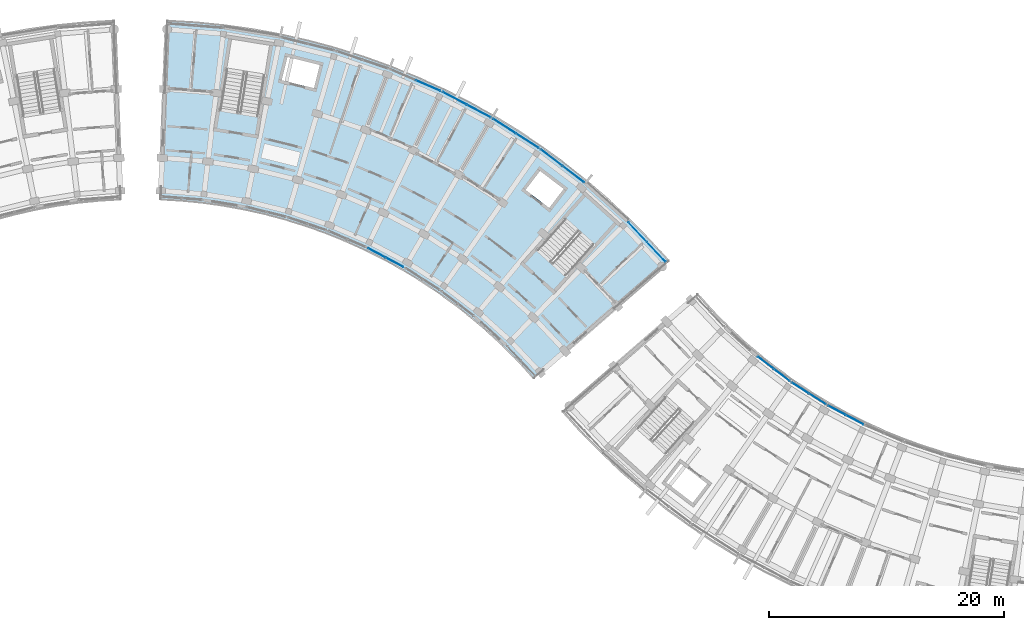
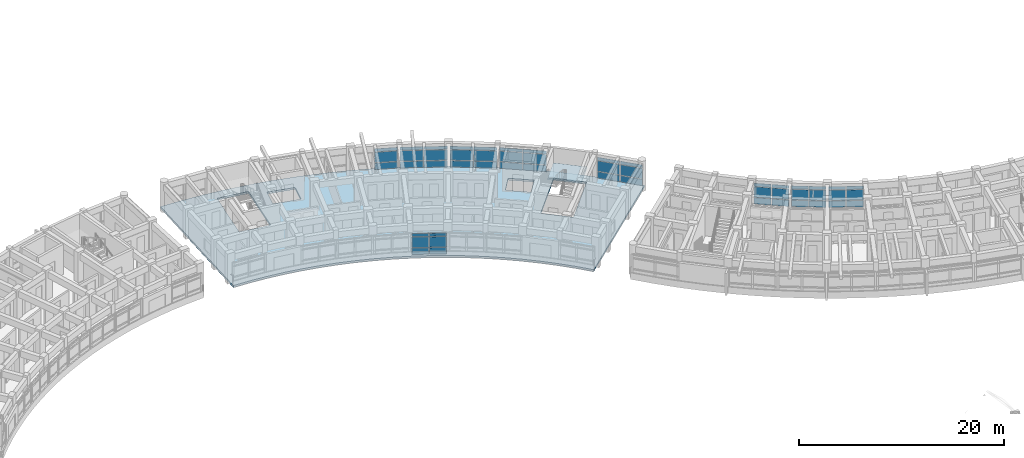
# One storey, part 48 of 83: 51 plates, 2 slabs, 10 elements without a shape of their own.
"""IFC4 building model written with IfcOpenShell, lengths in metres."""

from ifc_helpers import new_model, si_unit, direction, frame, origin, origin_2d, place, context, subcontext, project, spatial, polyline, rectangle, outline, extrude, material, layer, layer_set, type_object, element, aggregate, save


model = new_model("IFC4")

# Units and contexts
model_context = context("Model", 3, precision=1e-05, world=origin(), true_north=direction((0.0, 1.0)))
body_context = subcontext(model_context, "Body", "Model", "MODEL_VIEW")
ifc_project = project(units=[si_unit("LENGTHUNIT", "METRE"), si_unit("AREAUNIT", "SQUARE_METRE"), si_unit("VOLUMEUNIT", "CUBIC_METRE"), si_unit("PLANEANGLEUNIT", "RADIAN"), si_unit("MASSUNIT", "GRAM", prefix="KILO")], contexts=[model_context])

# Site, building, storey
site_placement = place(None, origin())
site = spatial("IfcSite", under=ifc_project, at=site_placement, CompositionType="ELEMENT")
building_placement = place(site_placement, origin())
building = spatial("IfcBuilding", under=site, at=building_placement, Name="Zimvara Arc Housing Community", CompositionType="ELEMENT")
storey_placement = place(building_placement, frame((0.0, 0.0, 4.5)))
storey = spatial("IfcBuildingStorey", under=building, at=storey_placement, Name="L01", CompositionType="ELEMENT", Elevation=4.5)

# Curtain wall, plates
ifc_material_1 = material(Name="Anodised Aluminium AW-6063", Category="aluminium")
curtain_wall_type_1 = type_object("IfcCurtainWallType", Name="CW-SYS-08", PredefinedType="USERDEFINED", material=ifc_material_1)
curtain_wall_1_placement = place(storey_placement, origin())
curtain_wall_1 = element("IfcCurtainWall", 1, at=curtain_wall_1_placement, inside=storey, type_object=curtain_wall_type_1, Name="cw:blkC:L01:in:b2", ObjectType="CURTAIN WALL", PredefinedType="USERDEFINED")
ifc_material_2 = material(Name="Pale-Gold Anodised Aluminium Spandrel Panel", Category="aluminium")
ifc_layer_1 = layer(ifc_material_2, 0.035888671875)
ifc_layer_set_1 = layer_set([ifc_layer_1], Name="Pale-Gold Anodised Aluminium Spandrel Panel")
plate_type_1 = type_object("IfcPlateType", Name="CWP-GLD-36", PredefinedType="CURTAIN_PANEL", material=ifc_layer_set_1)
plate_1_placement = place(storey_placement, frame((98.275634765625, 74.91943359375, 0.06494140625), z_axis=(0.0, 0.0, 1.0), x_axis=(0.795473543119, -0.605988318533, 0.0)))
plate_1 = element("IfcPlate", 2, at=plate_1_placement, type_object=plate_type_1, Name="CW08 panel 1.1", PredefinedType="CURTAIN_PANEL", context=body_context, shape_type="SweptSolid", body=[
    extrude(rectangle(XDim=1.664306640625, YDim=0.035888671875, at=origin_2d()), origin(), (0.0, 0.0, 1.0), 0.75244140625),
])
plate_2_placement = place(storey_placement, frame((98.275634765625, 74.91943359375, 0.88232421875), z_axis=(0.0, 0.0, 1.0), x_axis=(0.795473543119, -0.605988318533, 0.0)))
plate_2 = element("IfcPlate", 3, at=plate_2_placement, type_object=plate_type_1, Name="CW08 panel 1.2", PredefinedType="CURTAIN_PANEL", context=body_context, shape_type="SweptSolid", body=[
    extrude(rectangle(XDim=1.664306640625, YDim=0.035888671875, at=origin_2d()), origin(), (0.0, 0.0, 1.0), 1.235107421875),
])
plate_3_placement = place(storey_placement, frame((98.275634765625, 74.91943359375, 2.182373046875), z_axis=(0.0, 0.0, 1.0), x_axis=(0.795473543119, -0.605988318533, 0.0)))
plate_3 = element("IfcPlate", 4, at=plate_3_placement, type_object=plate_type_1, Name="CW08 panel 1.3", PredefinedType="CURTAIN_PANEL", context=body_context, shape_type="SweptSolid", body=[
    extrude(rectangle(XDim=1.664306640625, YDim=0.035888671875, at=origin_2d()), origin(), (0.0, 0.0, 1.0), 0.3525390625),
])
plate_4_placement = place(storey_placement, frame((99.651123046875, 73.87158203125, 0.06494140625), z_axis=(0.0, 0.0, 1.0), x_axis=(0.795473543119, -0.605988318533, 0.0)))
plate_4 = element("IfcPlate", 5, at=plate_4_placement, type_object=plate_type_1, Name="CW08 panel 2.1", PredefinedType="CURTAIN_PANEL", context=body_context, shape_type="SweptSolid", body=[
    extrude(rectangle(XDim=1.664306640625, YDim=0.035888671875, at=origin_2d()), origin(), (0.0, 0.0, 1.0), 0.75244140625),
])
plate_5_placement = place(storey_placement, frame((99.651123046875, 73.87158203125, 0.88232421875), z_axis=(0.0, 0.0, 1.0), x_axis=(0.795473543119, -0.605988318533, 0.0)))
plate_5 = element("IfcPlate", 6, at=plate_5_placement, type_object=plate_type_1, Name="CW08 panel 2.2", PredefinedType="CURTAIN_PANEL", context=body_context, shape_type="SweptSolid", body=[
    extrude(rectangle(XDim=1.664306640625, YDim=0.035888671875, at=origin_2d()), origin(), (0.0, 0.0, 1.0), 1.235107421875),
])
plate_6_placement = place(storey_placement, frame((99.651123046875, 73.87158203125, 2.182373046875), z_axis=(0.0, 0.0, 1.0), x_axis=(0.795473543119, -0.605988318533, 0.0)))
plate_6 = element("IfcPlate", 7, at=plate_6_placement, type_object=plate_type_1, Name="CW08 panel 2.3", PredefinedType="CURTAIN_PANEL", context=body_context, shape_type="SweptSolid", body=[
    extrude(rectangle(XDim=1.664306640625, YDim=0.035888671875, at=origin_2d()), origin(), (0.0, 0.0, 1.0), 0.3525390625),
])
aggregate(curtain_wall_1, [plate_1, plate_2, plate_3, plate_4, plate_5, plate_6])

ifc_material_3 = material(Name="Anodised Aluminium AW-6063", Category="aluminium")
curtain_wall_type_2 = type_object("IfcCurtainWallType", Name="CW-SYS-04", PredefinedType="USERDEFINED", material=ifc_material_3)
curtain_wall_2_placement = place(storey_placement, origin())
curtain_wall_2 = element("IfcCurtainWall", 8, at=curtain_wall_2_placement, inside=storey, type_object=curtain_wall_type_2, Name="cw:blkC:L01:in:b4", ObjectType="CURTAIN WALL", PredefinedType="USERDEFINED")
plate_7_placement = place(storey_placement, frame((104.326904296875, 70.87890625, 0.06494140625), z_axis=(0.0, 0.0, 1.0), x_axis=(0.88343981815, -0.468544648573, 0.0)))
plate_7 = element("IfcPlate", 9, at=plate_7_placement, type_object=plate_type_1, Name="CW04 panel 1.1", PredefinedType="CURTAIN_PANEL", context=body_context, shape_type="SweptSolid", body=[
    extrude(rectangle(XDim=1.664306640625, YDim=0.035888671875, at=origin_2d()), origin(), (0.0, 0.0, 1.0), 0.75244140625),
])
plate_8_placement = place(storey_placement, frame((104.326904296875, 70.87890625, 0.88232421875), z_axis=(0.0, 0.0, 1.0), x_axis=(0.88343981815, -0.468544648573, 0.0)))
plate_8 = element("IfcPlate", 10, at=plate_8_placement, type_object=plate_type_1, Name="CW04 panel 1.2", PredefinedType="CURTAIN_PANEL", context=body_context, shape_type="SweptSolid", body=[
    extrude(rectangle(XDim=1.664306640625, YDim=0.035888671875, at=origin_2d()), origin(), (0.0, 0.0, 1.0), 1.235107421875),
])
plate_9_placement = place(storey_placement, frame((104.326904296875, 70.87890625, 2.182373046875), z_axis=(0.0, 0.0, 1.0), x_axis=(0.88343981815, -0.468544648573, 0.0)))
plate_9 = element("IfcPlate", 11, at=plate_9_placement, type_object=plate_type_1, Name="CW04 panel 1.3", PredefinedType="CURTAIN_PANEL", context=body_context, shape_type="SweptSolid", body=[
    extrude(rectangle(XDim=1.664306640625, YDim=0.035888671875, at=origin_2d()), origin(), (0.0, 0.0, 1.0), 0.3525390625),
])
plate_10_placement = place(storey_placement, frame((105.854736328125, 70.068603515625, 0.06494140625), z_axis=(0.0, 0.0, 1.0), x_axis=(0.88343981815, -0.468544648573, 0.0)))
plate_10 = element("IfcPlate", 12, at=plate_10_placement, type_object=plate_type_1, Name="CW04 panel 2.1", PredefinedType="CURTAIN_PANEL", context=body_context, shape_type="SweptSolid", body=[
    extrude(rectangle(XDim=1.664306640625, YDim=0.035888671875, at=origin_2d()), origin(), (0.0, 0.0, 1.0), 0.75244140625),
])
plate_11_placement = place(storey_placement, frame((105.854736328125, 70.068603515625, 0.88232421875), z_axis=(0.0, 0.0, 1.0), x_axis=(0.88343981815, -0.468544648573, 0.0)))
plate_11 = element("IfcPlate", 13, at=plate_11_placement, type_object=plate_type_1, Name="CW04 panel 2.2", PredefinedType="CURTAIN_PANEL", context=body_context, shape_type="SweptSolid", body=[
    extrude(rectangle(XDim=1.664306640625, YDim=0.035888671875, at=origin_2d()), origin(), (0.0, 0.0, 1.0), 1.235107421875),
])
plate_12_placement = place(storey_placement, frame((105.854736328125, 70.068603515625, 2.182373046875), z_axis=(0.0, 0.0, 1.0), x_axis=(0.88343981815, -0.468544648573, 0.0)))
plate_12 = element("IfcPlate", 14, at=plate_12_placement, type_object=plate_type_1, Name="CW04 panel 2.3", PredefinedType="CURTAIN_PANEL", context=body_context, shape_type="SweptSolid", body=[
    extrude(rectangle(XDim=1.664306640625, YDim=0.035888671875, at=origin_2d()), origin(), (0.0, 0.0, 1.0), 0.3525390625),
])
aggregate(curtain_wall_2, [plate_7, plate_8, plate_9, plate_10, plate_11, plate_12])

ifc_material_4 = material(Name="Anodised Aluminium AW-6063", Category="aluminium")
curtain_wall_type_3 = type_object("IfcCurtainWallType", Name="CW-SYS-01", PredefinedType="USERDEFINED", material=ifc_material_4)
curtain_wall_3_placement = place(storey_placement, origin())
curtain_wall_3 = element("IfcCurtainWall", 15, at=curtain_wall_3_placement, inside=storey, type_object=curtain_wall_type_3, Name="cw:blkB:L01:out:b5", ObjectType="CURTAIN WALL", PredefinedType="USERDEFINED")
ifc_material_5 = material(Name="Solar Control Low-E Double Glazing", Category="glass")
ifc_layer_2 = layer(ifc_material_5, 0.02392578125)
ifc_layer_set_2 = layer_set([ifc_layer_2], Name="Solar Control Low-E Double Glazing")
plate_type_2 = type_object("IfcPlateType", Name="CWP-GLZ-24", PredefinedType="CURTAIN_PANEL", material=ifc_layer_set_2)
plate_13_placement = place(storey_placement, frame((71.76904296875, 97.461181640625, 0.06494140625), z_axis=(0.0, 0.0, 1.0), x_axis=(0.883438614651, -0.468546917761, 0.0)))
plate_13 = element("IfcPlate", 16, at=plate_13_placement, type_object=plate_type_2, Name="CW01 panel 1.1", PredefinedType="CURTAIN_PANEL", context=body_context, shape_type="SweptSolid", body=[
    extrude(rectangle(XDim=2.266845703125, YDim=0.02392578125, at=origin_2d()), origin(), (0.0, 0.0, 1.0), 0.75244140625),
])
plate_14_placement = place(storey_placement, frame((71.76904296875, 97.461181640625, 0.88232421875), z_axis=(0.0, 0.0, 1.0), x_axis=(0.883438614651, -0.468546917761, 0.0)))
plate_14 = element("IfcPlate", 17, at=plate_14_placement, type_object=plate_type_2, Name="CW01 panel 1.2", PredefinedType="CURTAIN_PANEL", context=body_context, shape_type="SweptSolid", body=[
    extrude(rectangle(XDim=2.266845703125, YDim=0.02392578125, at=origin_2d()), origin(), (0.0, 0.0, 1.0), 1.235107421875),
])
plate_15_placement = place(storey_placement, frame((71.76904296875, 97.461181640625, 2.182373046875), z_axis=(0.0, 0.0, 1.0), x_axis=(0.883438614651, -0.468546917761, 0.0)))
plate_15 = element("IfcPlate", 18, at=plate_15_placement, type_object=plate_type_2, Name="CW01 panel 1.3", PredefinedType="CURTAIN_PANEL", context=body_context, shape_type="SweptSolid", body=[
    extrude(rectangle(XDim=2.266845703125, YDim=0.02392578125, at=origin_2d()), origin(), (0.0, 0.0, 1.0), 0.3525390625),
])
plate_16_placement = place(storey_placement, frame((73.8291015625, 96.36865234375, 0.06494140625), z_axis=(0.0, 0.0, 1.0), x_axis=(0.883438614651, -0.468546917761, 0.0)))
plate_16 = element("IfcPlate", 19, at=plate_16_placement, type_object=plate_type_2, Name="CW01 panel 2.1", PredefinedType="CURTAIN_PANEL", context=body_context, shape_type="SweptSolid", body=[
    extrude(rectangle(XDim=2.266845703125, YDim=0.02392578125, at=origin_2d()), origin(), (0.0, 0.0, 1.0), 0.75244140625),
])
plate_17_placement = place(storey_placement, frame((73.8291015625, 96.36865234375, 0.88232421875), z_axis=(0.0, 0.0, 1.0), x_axis=(0.883438614651, -0.468546917761, 0.0)))
plate_17 = element("IfcPlate", 20, at=plate_17_placement, type_object=plate_type_2, Name="CW01 panel 2.2", PredefinedType="CURTAIN_PANEL", context=body_context, shape_type="SweptSolid", body=[
    extrude(rectangle(XDim=2.266845703125, YDim=0.02392578125, at=origin_2d()), origin(), (0.0, 0.0, 1.0), 1.235107421875),
])
plate_18_placement = place(storey_placement, frame((73.8291015625, 96.36865234375, 2.182373046875), z_axis=(0.0, 0.0, 1.0), x_axis=(0.883438614651, -0.468546917761, 0.0)))
plate_18 = element("IfcPlate", 21, at=plate_18_placement, type_object=plate_type_2, Name="CW01 panel 2.3", PredefinedType="CURTAIN_PANEL", context=body_context, shape_type="SweptSolid", body=[
    extrude(rectangle(XDim=2.266845703125, YDim=0.02392578125, at=origin_2d()), origin(), (0.0, 0.0, 1.0), 0.3525390625),
])
aggregate(curtain_wall_3, [plate_13, plate_14, plate_15, plate_16, plate_17, plate_18])

ifc_material_6 = material(Name="Anodised Aluminium AW-6063", Category="aluminium")
curtain_wall_type_4 = type_object("IfcCurtainWallType", Name="CW-SYS-05", PredefinedType="USERDEFINED", material=ifc_material_6)
curtain_wall_4_placement = place(storey_placement, origin())
curtain_wall_4 = element("IfcCurtainWall", 22, at=curtain_wall_4_placement, inside=storey, type_object=curtain_wall_type_4, Name="cw:blkB:L01:out:b7", ObjectType="CURTAIN WALL", PredefinedType="USERDEFINED")
plate_19_placement = place(storey_placement, frame((80.026123046875, 92.40234375, 0.06494140625), z_axis=(0.0, 0.0, 1.0), x_axis=(0.795473999177, -0.60598771987, 0.0)))
plate_19 = element("IfcPlate", 23, at=plate_19_placement, type_object=plate_type_2, Name="CW05 panel 1.1", PredefinedType="CURTAIN_PANEL", context=body_context, shape_type="SweptSolid", body=[
    extrude(rectangle(XDim=2.266845703125, YDim=0.02392578125, at=origin_2d()), origin(), (0.0, 0.0, 1.0), 0.75244140625),
])
plate_20_placement = place(storey_placement, frame((80.026123046875, 92.40234375, 0.88232421875), z_axis=(0.0, 0.0, 1.0), x_axis=(0.795473999177, -0.60598771987, 0.0)))
plate_20 = element("IfcPlate", 24, at=plate_20_placement, type_object=plate_type_2, Name="CW05 panel 1.2", PredefinedType="CURTAIN_PANEL", context=body_context, shape_type="SweptSolid", body=[
    extrude(rectangle(XDim=2.266845703125, YDim=0.02392578125, at=origin_2d()), origin(), (0.0, 0.0, 1.0), 1.235107421875),
])
plate_21_placement = place(storey_placement, frame((80.026123046875, 92.40234375, 2.182373046875), z_axis=(0.0, 0.0, 1.0), x_axis=(0.795473999177, -0.60598771987, 0.0)))
plate_21 = element("IfcPlate", 25, at=plate_21_placement, type_object=plate_type_2, Name="CW05 panel 1.3", PredefinedType="CURTAIN_PANEL", context=body_context, shape_type="SweptSolid", body=[
    extrude(rectangle(XDim=2.266845703125, YDim=0.02392578125, at=origin_2d()), origin(), (0.0, 0.0, 1.0), 0.3525390625),
])
plate_22_placement = place(storey_placement, frame((81.881103515625, 90.9892578125, 0.06494140625), z_axis=(0.0, 0.0, 1.0), x_axis=(0.795473999177, -0.60598771987, 0.0)))
plate_22 = element("IfcPlate", 26, at=plate_22_placement, type_object=plate_type_2, Name="CW05 panel 2.1", PredefinedType="CURTAIN_PANEL", context=body_context, shape_type="SweptSolid", body=[
    extrude(rectangle(XDim=2.266845703125, YDim=0.02392578125, at=origin_2d()), origin(), (0.0, 0.0, 1.0), 0.75244140625),
])
plate_23_placement = place(storey_placement, frame((81.881103515625, 90.9892578125, 0.88232421875), z_axis=(0.0, 0.0, 1.0), x_axis=(0.795473999177, -0.60598771987, 0.0)))
plate_23 = element("IfcPlate", 27, at=plate_23_placement, type_object=plate_type_2, Name="CW05 panel 2.2", PredefinedType="CURTAIN_PANEL", context=body_context, shape_type="SweptSolid", body=[
    extrude(rectangle(XDim=2.266845703125, YDim=0.02392578125, at=origin_2d()), origin(), (0.0, 0.0, 1.0), 1.235107421875),
])
plate_24_placement = place(storey_placement, frame((81.881103515625, 90.9892578125, 2.182373046875), z_axis=(0.0, 0.0, 1.0), x_axis=(0.795473999177, -0.60598771987, 0.0)))
plate_24 = element("IfcPlate", 28, at=plate_24_placement, type_object=plate_type_2, Name="CW05 panel 2.3", PredefinedType="CURTAIN_PANEL", context=body_context, shape_type="SweptSolid", body=[
    extrude(rectangle(XDim=2.266845703125, YDim=0.02392578125, at=origin_2d()), origin(), (0.0, 0.0, 1.0), 0.3525390625),
])
aggregate(curtain_wall_4, [plate_19, plate_20, plate_21, plate_22, plate_23, plate_24])

ifc_material_7 = material(Name="Anodised Aluminium AW-6063", Category="aluminium")
curtain_wall_type_5 = type_object("IfcCurtainWallType", Name="CW-SYS-02", PredefinedType="USERDEFINED", material=ifc_material_7)
curtain_wall_5_placement = place(storey_placement, origin())
curtain_wall_5 = element("IfcCurtainWall", 29, at=curtain_wall_5_placement, inside=storey, type_object=curtain_wall_type_5, Name="cw:blkB:L01:in:b5", ObjectType="CURTAIN WALL", PredefinedType="USERDEFINED")
ifc_material_8 = material(Name="Solar Control Low-E Double Glazing", Category="glass")
ifc_layer_3 = layer(ifc_material_8, 0.028076171875)
ifc_layer_set_3 = layer_set([ifc_layer_3], Name="Solar Control Low-E Double Glazing")
plate_type_3 = type_object("IfcPlateType", Name="CWP-GLZ-28", PredefinedType="CURTAIN_PANEL", material=ifc_layer_set_3)
plate_25_placement = place(storey_placement, frame((65.125244140625, 84.291259765625, 0.06494140625), z_axis=(0.0, 0.0, 1.0), x_axis=(0.88343981815, -0.468544648573, 0.0)))
plate_25 = element("IfcPlate", 30, at=plate_25_placement, type_object=plate_type_3, Name="CW02 panel 1.1", PredefinedType="CURTAIN_PANEL", context=body_context, shape_type="SweptSolid", body=[
    extrude(rectangle(XDim=1.664306640625, YDim=0.028076171875, at=origin_2d()), origin(), (0.0, 0.0, 1.0), 0.75244140625),
])
plate_26_placement = place(storey_placement, frame((65.125244140625, 84.291259765625, 0.88232421875), z_axis=(0.0, 0.0, 1.0), x_axis=(0.88343981815, -0.468544648573, 0.0)))
plate_26 = element("IfcPlate", 31, at=plate_26_placement, type_object=plate_type_3, Name="CW02 panel 1.2", PredefinedType="CURTAIN_PANEL", context=body_context, shape_type="SweptSolid", body=[
    extrude(rectangle(XDim=1.664306640625, YDim=0.028076171875, at=origin_2d()), origin(), (0.0, 0.0, 1.0), 1.235107421875),
])
plate_27_placement = place(storey_placement, frame((65.125244140625, 84.291259765625, 2.182373046875), z_axis=(0.0, 0.0, 1.0), x_axis=(0.88343981815, -0.468544648573, 0.0)))
plate_27 = element("IfcPlate", 32, at=plate_27_placement, type_object=plate_type_3, Name="CW02 panel 1.3", PredefinedType="CURTAIN_PANEL", context=body_context, shape_type="SweptSolid", body=[
    extrude(rectangle(XDim=1.664306640625, YDim=0.028076171875, at=origin_2d()), origin(), (0.0, 0.0, 1.0), 0.3525390625),
])
plate_28_placement = place(storey_placement, frame((66.653076171875, 83.48095703125, 0.06494140625), z_axis=(0.0, 0.0, 1.0), x_axis=(0.88343981815, -0.468544648573, 0.0)))
plate_28 = element("IfcPlate", 33, at=plate_28_placement, type_object=plate_type_3, Name="CW02 panel 2.1", PredefinedType="CURTAIN_PANEL", context=body_context, shape_type="SweptSolid", body=[
    extrude(rectangle(XDim=1.664306640625, YDim=0.028076171875, at=origin_2d()), origin(), (0.0, 0.0, 1.0), 0.75244140625),
])
plate_29_placement = place(storey_placement, frame((66.653076171875, 83.48095703125, 0.88232421875), z_axis=(0.0, 0.0, 1.0), x_axis=(0.88343981815, -0.468544648573, 0.0)))
plate_29 = element("IfcPlate", 34, at=plate_29_placement, type_object=plate_type_3, Name="CW02 panel 2.2", PredefinedType="CURTAIN_PANEL", context=body_context, shape_type="SweptSolid", body=[
    extrude(rectangle(XDim=1.664306640625, YDim=0.028076171875, at=origin_2d()), origin(), (0.0, 0.0, 1.0), 1.235107421875),
])
plate_30_placement = place(storey_placement, frame((66.653076171875, 83.48095703125, 2.182373046875), z_axis=(0.0, 0.0, 1.0), x_axis=(0.88343981815, -0.468544648573, 0.0)))
plate_30 = element("IfcPlate", 35, at=plate_30_placement, type_object=plate_type_3, Name="CW02 panel 2.3", PredefinedType="CURTAIN_PANEL", context=body_context, shape_type="SweptSolid", body=[
    extrude(rectangle(XDim=1.664306640625, YDim=0.028076171875, at=origin_2d()), origin(), (0.0, 0.0, 1.0), 0.3525390625),
])
aggregate(curtain_wall_5, [plate_25, plate_26, plate_27, plate_28, plate_29, plate_30])

curtain_wall_6_placement = place(storey_placement, origin())
curtain_wall_6 = element("IfcCurtainWall", 36, at=curtain_wall_6_placement, inside=storey, type_object=curtain_wall_type_5, Name="cw:blkC:L01:in:b3", ObjectType="CURTAIN WALL", PredefinedType="USERDEFINED")
plate_31_placement = place(storey_placement, frame((101.21875, 72.775634765625, 0.06494140625), z_axis=(0.0, 0.0, 1.0), x_axis=(0.842264751752, -0.539064085203, 0.0)))
plate_31 = element("IfcPlate", 37, at=plate_31_placement, type_object=plate_type_3, Name="CW02 panel 1.1", PredefinedType="CURTAIN_PANEL", context=body_context, shape_type="SweptSolid", body=[
    extrude(rectangle(XDim=1.664306640625, YDim=0.028076171875, at=origin_2d()), origin(), (0.0, 0.0, 1.0), 0.75244140625),
])
plate_32_placement = place(storey_placement, frame((101.21875, 72.775634765625, 0.88232421875), z_axis=(0.0, 0.0, 1.0), x_axis=(0.842264751752, -0.539064085203, 0.0)))
plate_32 = element("IfcPlate", 38, at=plate_32_placement, type_object=plate_type_3, Name="CW02 panel 1.2", PredefinedType="CURTAIN_PANEL", context=body_context, shape_type="SweptSolid", body=[
    extrude(rectangle(XDim=1.664306640625, YDim=0.028076171875, at=origin_2d()), origin(), (0.0, 0.0, 1.0), 1.235107421875),
])
plate_33_placement = place(storey_placement, frame((101.21875, 72.775634765625, 2.182373046875), z_axis=(0.0, 0.0, 1.0), x_axis=(0.842264751752, -0.539064085203, 0.0)))
plate_33 = element("IfcPlate", 39, at=plate_33_placement, type_object=plate_type_3, Name="CW02 panel 1.3", PredefinedType="CURTAIN_PANEL", context=body_context, shape_type="SweptSolid", body=[
    extrude(rectangle(XDim=1.664306640625, YDim=0.028076171875, at=origin_2d()), origin(), (0.0, 0.0, 1.0), 0.3525390625),
])
plate_34_placement = place(storey_placement, frame((102.67529296875, 71.843505859375, 0.06494140625), z_axis=(0.0, 0.0, 1.0), x_axis=(0.842264751752, -0.539064085203, 0.0)))
plate_34 = element("IfcPlate", 40, at=plate_34_placement, type_object=plate_type_3, Name="CW02 panel 2.1", PredefinedType="CURTAIN_PANEL", context=body_context, shape_type="SweptSolid", body=[
    extrude(rectangle(XDim=1.664306640625, YDim=0.028076171875, at=origin_2d()), origin(), (0.0, 0.0, 1.0), 0.75244140625),
])
plate_35_placement = place(storey_placement, frame((102.67529296875, 71.843505859375, 0.88232421875), z_axis=(0.0, 0.0, 1.0), x_axis=(0.842264751752, -0.539064085203, 0.0)))
plate_35 = element("IfcPlate", 41, at=plate_35_placement, type_object=plate_type_3, Name="CW02 panel 2.2", PredefinedType="CURTAIN_PANEL", context=body_context, shape_type="SweptSolid", body=[
    extrude(rectangle(XDim=1.664306640625, YDim=0.028076171875, at=origin_2d()), origin(), (0.0, 0.0, 1.0), 1.235107421875),
])
plate_36_placement = place(storey_placement, frame((102.67529296875, 71.843505859375, 2.182373046875), z_axis=(0.0, 0.0, 1.0), x_axis=(0.842264751752, -0.539064085203, 0.0)))
plate_36 = element("IfcPlate", 42, at=plate_36_placement, type_object=plate_type_3, Name="CW02 panel 2.3", PredefinedType="CURTAIN_PANEL", context=body_context, shape_type="SweptSolid", body=[
    extrude(rectangle(XDim=1.664306640625, YDim=0.028076171875, at=origin_2d()), origin(), (0.0, 0.0, 1.0), 0.3525390625),
])
aggregate(curtain_wall_6, [plate_31, plate_32, plate_33, plate_34, plate_35, plate_36])

ifc_material_9 = material(Name="Anodised Aluminium AW-6063", Category="aluminium")
curtain_wall_type_6 = type_object("IfcCurtainWallType", Name="CW-SYS-07", PredefinedType="USERDEFINED", material=ifc_material_9)
curtain_wall_7_placement = place(storey_placement, origin())
curtain_wall_7 = element("IfcCurtainWall", 43, at=curtain_wall_7_placement, inside=storey, type_object=curtain_wall_type_6, Name="cw:blkB:L01:out:b4", ObjectType="CURTAIN WALL", PredefinedType="USERDEFINED")
ifc_material_10 = material(Name="Acoustic Laminated Solar Glazing", Category="glass")
ifc_layer_4 = layer(ifc_material_10, 0.031982421875)
ifc_layer_set_4 = layer_set([ifc_layer_4], Name="Acoustic Laminated Solar Glazing")
plate_type_4 = type_object("IfcPlateType", Name="CWP-GLZ-32", PredefinedType="CURTAIN_PANEL", material=ifc_layer_set_4)
plate_37_placement = place(storey_placement, frame((69.5009765625, 98.5478515625, 0.06494140625), z_axis=(0.0, 0.0, 1.0), x_axis=(0.918722299363, -0.394904211998, 0.0)))
plate_37 = element("IfcPlate", 44, at=plate_37_placement, type_object=plate_type_4, Name="CW07 panel 2.1", PredefinedType="CURTAIN_PANEL", context=body_context, shape_type="SweptSolid", body=[
    extrude(rectangle(XDim=2.266845703125, YDim=0.031982421875, at=origin_2d()), origin(), (0.0, 0.0, 1.0), 0.75244140625),
])
plate_38_placement = place(storey_placement, frame((69.5009765625, 98.5478515625, 0.88232421875), z_axis=(0.0, 0.0, 1.0), x_axis=(0.918722299363, -0.394904211998, 0.0)))
plate_38 = element("IfcPlate", 45, at=plate_38_placement, type_object=plate_type_4, Name="CW07 panel 2.2", PredefinedType="CURTAIN_PANEL", context=body_context, shape_type="SweptSolid", body=[
    extrude(rectangle(XDim=2.266845703125, YDim=0.031982421875, at=origin_2d()), origin(), (0.0, 0.0, 1.0), 1.235107421875),
])
plate_39_placement = place(storey_placement, frame((69.5009765625, 98.5478515625, 2.182373046875), z_axis=(0.0, 0.0, 1.0), x_axis=(0.918722299363, -0.394904211998, 0.0)))
plate_39 = element("IfcPlate", 46, at=plate_39_placement, type_object=plate_type_4, Name="CW07 panel 2.3", PredefinedType="CURTAIN_PANEL", context=body_context, shape_type="SweptSolid", body=[
    extrude(rectangle(XDim=2.266845703125, YDim=0.031982421875, at=origin_2d()), origin(), (0.0, 0.0, 1.0), 0.3525390625),
])
aggregate(curtain_wall_7, [plate_37, plate_38, plate_39])

ifc_material_11 = material(Name="Anodised Aluminium AW-6063", Category="aluminium")
curtain_wall_type_7 = type_object("IfcCurtainWallType", Name="CW-SYS-03", PredefinedType="USERDEFINED", material=ifc_material_11)
curtain_wall_8_placement = place(storey_placement, origin())
curtain_wall_8 = element("IfcCurtainWall", 47, at=curtain_wall_8_placement, inside=storey, type_object=curtain_wall_type_7, Name="cw:blkB:L01:out:b6", ObjectType="CURTAIN WALL", PredefinedType="USERDEFINED")
plate_40_placement = place(storey_placement, frame((76.0009765625, 95.1005859375, 0.06494140625), z_axis=(0.0, 0.0, 1.0), x_axis=(0.842264410931, -0.539064617721, 0.0)))
plate_40 = element("IfcPlate", 48, at=plate_40_placement, type_object=plate_type_4, Name="CW03 panel 1.1", PredefinedType="CURTAIN_PANEL", context=body_context, shape_type="SweptSolid", body=[
    extrude(rectangle(XDim=2.266845703125, YDim=0.031982421875, at=origin_2d()), origin(), (0.0, 0.0, 1.0), 0.75244140625),
])
plate_41_placement = place(storey_placement, frame((76.0009765625, 95.1005859375, 0.88232421875), z_axis=(0.0, 0.0, 1.0), x_axis=(0.842264410931, -0.539064617721, 0.0)))
plate_41 = element("IfcPlate", 49, at=plate_41_placement, type_object=plate_type_4, Name="CW03 panel 1.2", PredefinedType="CURTAIN_PANEL", context=body_context, shape_type="SweptSolid", body=[
    extrude(rectangle(XDim=2.266845703125, YDim=0.031982421875, at=origin_2d()), origin(), (0.0, 0.0, 1.0), 1.235107421875),
])
plate_42_placement = place(storey_placement, frame((76.0009765625, 95.1005859375, 2.182373046875), z_axis=(0.0, 0.0, 1.0), x_axis=(0.842264410931, -0.539064617721, 0.0)))
plate_42 = element("IfcPlate", 50, at=plate_42_placement, type_object=plate_type_4, Name="CW03 panel 1.3", PredefinedType="CURTAIN_PANEL", context=body_context, shape_type="SweptSolid", body=[
    extrude(rectangle(XDim=2.266845703125, YDim=0.031982421875, at=origin_2d()), origin(), (0.0, 0.0, 1.0), 0.3525390625),
])
plate_43_placement = place(storey_placement, frame((77.965087890625, 93.843505859375, 0.06494140625), z_axis=(0.0, 0.0, 1.0), x_axis=(0.842264410931, -0.539064617721, 0.0)))
plate_43 = element("IfcPlate", 51, at=plate_43_placement, type_object=plate_type_4, Name="CW03 panel 2.1", PredefinedType="CURTAIN_PANEL", context=body_context, shape_type="SweptSolid", body=[
    extrude(rectangle(XDim=2.266845703125, YDim=0.031982421875, at=origin_2d()), origin(), (0.0, 0.0, 1.0), 0.75244140625),
])
plate_44_placement = place(storey_placement, frame((77.965087890625, 93.843505859375, 0.88232421875), z_axis=(0.0, 0.0, 1.0), x_axis=(0.842264410931, -0.539064617721, 0.0)))
plate_44 = element("IfcPlate", 52, at=plate_44_placement, type_object=plate_type_4, Name="CW03 panel 2.2", PredefinedType="CURTAIN_PANEL", context=body_context, shape_type="SweptSolid", body=[
    extrude(rectangle(XDim=2.266845703125, YDim=0.031982421875, at=origin_2d()), origin(), (0.0, 0.0, 1.0), 1.235107421875),
])
plate_45_placement = place(storey_placement, frame((77.965087890625, 93.843505859375, 2.182373046875), z_axis=(0.0, 0.0, 1.0), x_axis=(0.842264410931, -0.539064617721, 0.0)))
plate_45 = element("IfcPlate", 53, at=plate_45_placement, type_object=plate_type_4, Name="CW03 panel 2.3", PredefinedType="CURTAIN_PANEL", context=body_context, shape_type="SweptSolid", body=[
    extrude(rectangle(XDim=2.266845703125, YDim=0.031982421875, at=origin_2d()), origin(), (0.0, 0.0, 1.0), 0.3525390625),
])
aggregate(curtain_wall_8, [plate_40, plate_41, plate_42, plate_43, plate_44, plate_45])

curtain_wall_9_placement = place(storey_placement, origin())
curtain_wall_9 = element("IfcCurtainWall", 54, at=curtain_wall_9_placement, inside=storey, type_object=curtain_wall_type_6, Name="cw:blkB:L01:out:b9", ObjectType="CURTAIN WALL", PredefinedType="USERDEFINED")
plate_46_placement = place(storey_placement, frame((87.350341796875, 86.068115234375, 0.06494140625), z_axis=(0.0, 0.0, 1.0), x_axis=(0.686326416495, -0.727293647725, 0.0)))
plate_46 = element("IfcPlate", 55, at=plate_46_placement, type_object=plate_type_4, Name="CW07 panel 1.1", PredefinedType="CURTAIN_PANEL", context=body_context, shape_type="SweptSolid", body=[
    extrude(rectangle(XDim=2.266845703125, YDim=0.031982421875, at=origin_2d()), origin(), (0.0, 0.0, 1.0), 0.75244140625),
])
plate_47_placement = place(storey_placement, frame((87.350341796875, 86.068115234375, 0.88232421875), z_axis=(0.0, 0.0, 1.0), x_axis=(0.686326416495, -0.727293647725, 0.0)))
plate_47 = element("IfcPlate", 56, at=plate_47_placement, type_object=plate_type_4, Name="CW07 panel 1.2", PredefinedType="CURTAIN_PANEL", context=body_context, shape_type="SweptSolid", body=[
    extrude(rectangle(XDim=2.266845703125, YDim=0.031982421875, at=origin_2d()), origin(), (0.0, 0.0, 1.0), 1.235107421875),
])
plate_48_placement = place(storey_placement, frame((87.350341796875, 86.068115234375, 2.182373046875), z_axis=(0.0, 0.0, 1.0), x_axis=(0.686326416495, -0.727293647725, 0.0)))
plate_48 = element("IfcPlate", 57, at=plate_48_placement, type_object=plate_type_4, Name="CW07 panel 1.3", PredefinedType="CURTAIN_PANEL", context=body_context, shape_type="SweptSolid", body=[
    extrude(rectangle(XDim=2.266845703125, YDim=0.031982421875, at=origin_2d()), origin(), (0.0, 0.0, 1.0), 0.3525390625),
])
plate_49_placement = place(storey_placement, frame((88.950927734375, 84.3720703125, 0.06494140625), z_axis=(0.0, 0.0, 1.0), x_axis=(0.686326416495, -0.727293647725, 0.0)))
plate_49 = element("IfcPlate", 58, at=plate_49_placement, type_object=plate_type_4, Name="CW07 panel 2.1", PredefinedType="CURTAIN_PANEL", context=body_context, shape_type="SweptSolid", body=[
    extrude(rectangle(XDim=2.266845703125, YDim=0.031982421875, at=origin_2d()), origin(), (0.0, 0.0, 1.0), 0.75244140625),
])
plate_50_placement = place(storey_placement, frame((88.950927734375, 84.3720703125, 0.88232421875), z_axis=(0.0, 0.0, 1.0), x_axis=(0.686326416495, -0.727293647725, 0.0)))
plate_50 = element("IfcPlate", 59, at=plate_50_placement, type_object=plate_type_4, Name="CW07 panel 2.2", PredefinedType="CURTAIN_PANEL", context=body_context, shape_type="SweptSolid", body=[
    extrude(rectangle(XDim=2.266845703125, YDim=0.031982421875, at=origin_2d()), origin(), (0.0, 0.0, 1.0), 1.235107421875),
])
plate_51_placement = place(storey_placement, frame((88.950927734375, 84.3720703125, 2.182373046875), z_axis=(0.0, 0.0, 1.0), x_axis=(0.686326416495, -0.727293647725, 0.0)))
plate_51 = element("IfcPlate", 60, at=plate_51_placement, type_object=plate_type_4, Name="CW07 panel 2.3", PredefinedType="CURTAIN_PANEL", context=body_context, shape_type="SweptSolid", body=[
    extrude(rectangle(XDim=2.266845703125, YDim=0.031982421875, at=origin_2d()), origin(), (0.0, 0.0, 1.0), 0.3525390625),
])
aggregate(curtain_wall_9, [plate_46, plate_47, plate_48, plate_49, plate_50, plate_51])

# Stair, slab
ifc_material_12 = material(Name="Concrete C35/45", Category="concrete")
stair_type = type_object("IfcStairType", Name="STR-DL-318-360", PredefinedType="HALF_TURN_STAIR", material=ifc_material_12)
stair_placement = place(storey_placement, origin())
stair = element("IfcStair", 61, at=stair_placement, inside=storey, type_object=stair_type, Name="L01 Block B Exit Stair 2", PredefinedType="HALF_TURN_STAIR")
ifc_material_13 = material(Name="Concrete C35/45", Category="concrete")
ifc_layer_5 = layer(ifc_material_13, 0.199951171875)
ifc_layer_set_5 = layer_set([ifc_layer_5], Name="Concrete C35/45")
slab_type_1 = type_object("IfcSlabType", Name="SLB-STAIR-LND-200", PredefinedType="LANDING", material=ifc_layer_set_5)
slab_1_placement = place(storey_placement, frame((0.0, 0.0, 1.60009765625)))
slab_1 = element("IfcSlab", 62, at=slab_1_placement, type_object=slab_type_1, Name="ST-B2 landing 1", PredefinedType="LANDING", context=body_context, shape_type="SweptSolid", body=[
    extrude(outline(polyline([(83.610595703125, 84.89990234375), (85.404541015625, 86.8935546875), (82.90673828125, 89.14111328125), (81.113037109375, 87.147216796875), (83.610595703125, 84.89990234375)])), origin(), (0.0, 0.0, 1.0), 0.199951171875),
])
aggregate(stair, [slab_1])

# Slab
ifc_material_14 = material(Name="Concrete C35/45", Category="concrete")
ifc_layer_6 = layer(ifc_material_14, 0.22802734375)
ifc_layer_set_6 = layer_set([ifc_layer_6], Name="Concrete C35/45")
slab_type_2 = type_object("IfcSlabType", Name="SLB-VAR-05", PredefinedType="FLOOR", material=ifc_layer_set_6)
slab_2_placement = place(storey_placement, frame((0.0, 0.0, -0.22802734375)))
element("IfcSlab", 63, at=slab_2_placement, inside=storey, type_object=slab_type_2, Name="slab:blkB:L01:main", PredefinedType="FLOOR", context=body_context, shape_type="SweptSolid", body=[
    extrude(outline(polyline([(46.704345703125, 88.8671875), (48.514404296875, 88.7607421875), (50.318603515625, 88.580322265625), (52.114013671875, 88.326416015625), (53.8974609375, 87.999267578125), (55.666015625, 87.599853515625), (57.4169921875, 87.12841796875), (59.147216796875, 86.5859375), (60.853759765625, 85.97314453125), (62.53369140625, 85.291259765625), (64.1845703125, 84.541259765625), (65.803466796875, 83.724609375), (67.3876953125, 82.842529296875), (68.9345703125, 81.896484375), (70.44140625, 80.88818359375), (71.90576171875, 79.819091796875), (73.325439453125, 78.69091796875), (74.697998046875, 77.506103515625), (76.020751953125, 76.265869140625), (77.291748046875, 74.972900390625), (78.509033203125, 73.62890625), (89.980712890625, 83.60107421875), (88.3466796875, 85.405029296875), (86.640380859375, 87.140869140625), (84.86474609375, 88.805419921875), (83.0224609375, 90.39599609375), (81.116943359375, 91.91015625), (79.151123046875, 93.34521484375), (77.128173828125, 94.698974609375), (75.052001953125, 95.96875), (72.92529296875, 97.15283203125), (70.752197265625, 98.249267578125), (68.536376953125, 99.255859375), (66.281005859375, 100.171142578125), (63.990234375, 100.99365234375), (61.667724609375, 101.721923828125), (59.317626953125, 102.354736328125), (56.943359375, 102.89111328125), (54.549560546875, 103.330078125), (52.139404296875, 103.6708984375), (49.717529296875, 103.9130859375), (47.287841796875, 104.05615234375), (46.704345703125, 88.8671875)]), holes=[polyline([(51.777099609375, 96.48583984375), (52.75439453125, 102.507080078125), (55.991943359375, 101.9814453125), (55.0146484375, 95.960205078125), (51.777099609375, 96.48583984375)]), polyline([(78.82958984375, 84.550048828125), (82.909912109375, 89.08447265625), (85.34814453125, 86.890625), (81.26806640625, 82.356201171875), (78.82958984375, 84.550048828125)]), polyline([(57.0263671875, 99.007080078125), (57.516357421875, 100.9873046875), (60.273193359375, 100.30517578125), (59.783203125, 98.324951171875), (57.0263671875, 99.007080078125)]), polyline([(77.803955078125, 89.656982421875), (79.0400390625, 91.27978515625), (81.060546875, 89.740478515625), (79.824462890625, 88.117919921875), (77.803955078125, 89.656982421875)])]), origin(), (0.0, 0.0, 1.0), 0.22802734375),
])

save(model, "model.ifc")
